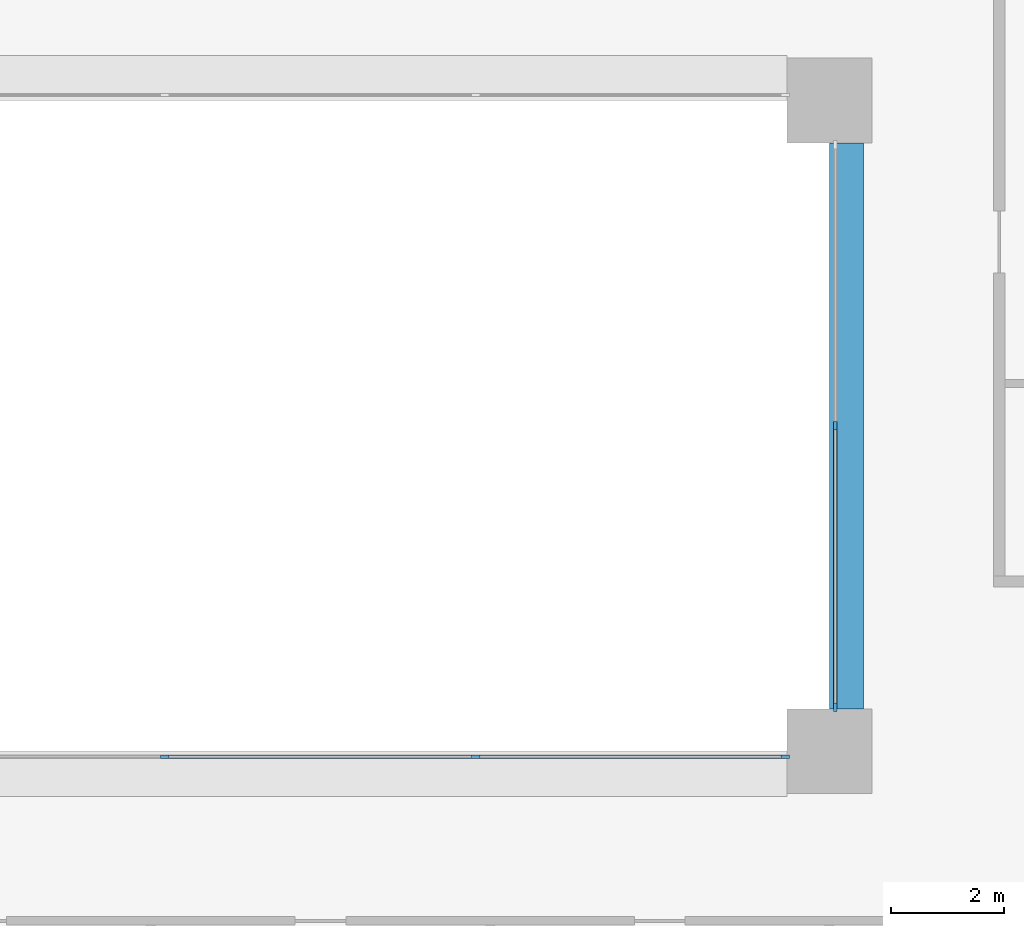
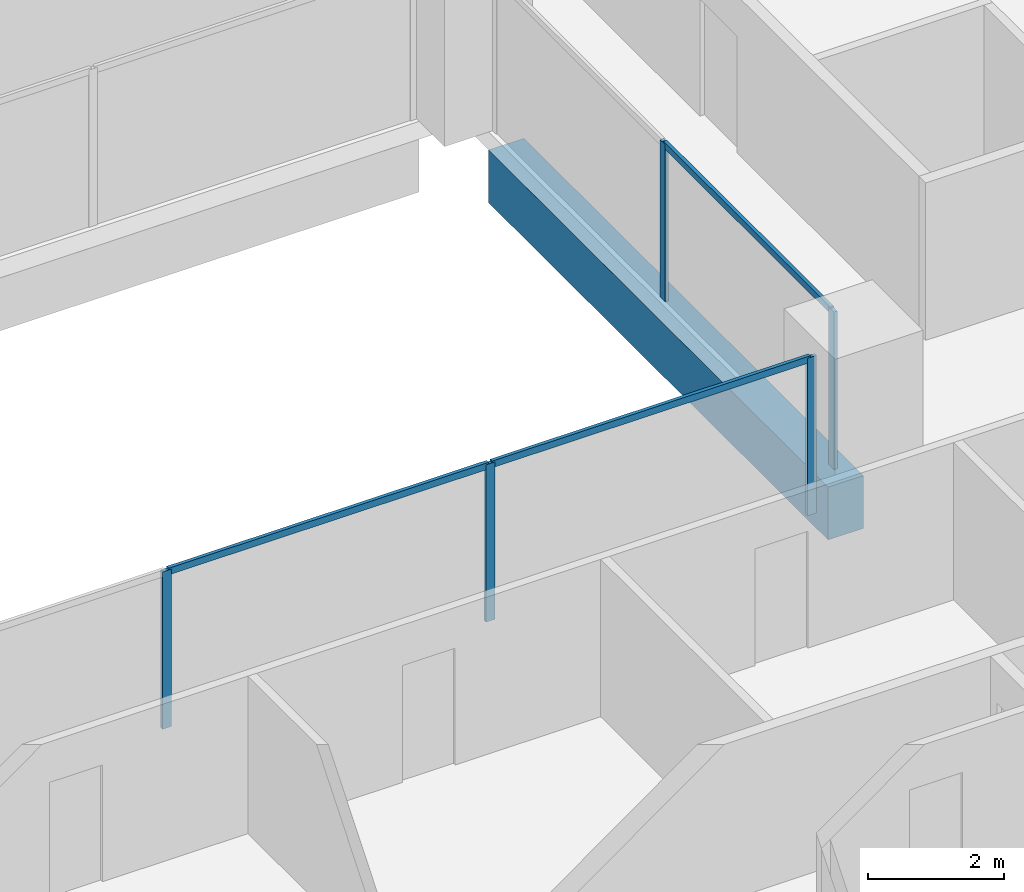
# One storey, part 4 of 19: 8 members, 1 beam, 2 elements without a shape of their own.
"""IFC4 building model written with IfcOpenShell, lengths in metres."""

from ifc_helpers import new_model, si_unit, direction, frame, origin, origin_2d, place, context, subcontext, project, spatial, rectangle, extrude, material, layer, layer_set, material_profile, profile_set, type_object, element, aggregate, save


model = new_model("IFC4")

# Units and contexts
model_context = context("Model", 3, precision=1e-05, world=origin(), true_north=direction((0.0, 1.0)))
body_context = subcontext(model_context, "Body", "Model", "MODEL_VIEW")
ifc_project = project(units=[si_unit("LENGTHUNIT", "METRE"), si_unit("AREAUNIT", "SQUARE_METRE"), si_unit("VOLUMEUNIT", "CUBIC_METRE"), si_unit("PLANEANGLEUNIT", "RADIAN"), si_unit("MASSUNIT", "GRAM", prefix="KILO")], contexts=[model_context])

# Site, building, storey
site_placement = place(None, origin())
site = spatial("IfcSite", under=ifc_project, at=site_placement, CompositionType="ELEMENT")
building_placement = place(site_placement, origin())
building = spatial("IfcBuilding", under=site, at=building_placement, Name="Brigalow Station Residences", CompositionType="ELEMENT")
storey_placement = place(building_placement, frame((0.0, 0.0, 25.800048828125)))
storey = spatial("IfcBuildingStorey", under=building, at=storey_placement, Name="L06", CompositionType="ELEMENT", Elevation=25.800048828125)

# Beam
ifc_material_1 = material(Name="Concrete C65", Category="concrete")
ifc_material_profile_1 = material_profile(ifc_material_1, rectangle(XDim=0.60009765625, YDim=0.949951171875, at=origin_2d()), Name="RC600x950")
ifc_profile_set_1 = profile_set([ifc_material_profile_1], Name="Concrete C65")
beam_type = type_object("IfcBeamType", Name="ATRIUM EDGE GIRDER 600x950 C65", PredefinedType="BEAM", material=ifc_profile_set_1)
beam_placement = place(storey_placement, frame((45.300048828125, 24.75, -0.795166015625), z_axis=(0.0, 1.0, 0.0), x_axis=(-1.0, 0.0, 0.0)))
element("IfcBeam", 1, at=beam_placement, inside=storey, type_object=beam_type, Name="ATRIUM EDGE GIRDER 5 L06", PredefinedType="BEAM", context=body_context, shape_type="SweptSolid", body=[
    extrude(rectangle(XDim=0.60009765625, YDim=0.949951171875, at=origin_2d()), origin(), (0.0, 0.0, 1.0), 10.0),
])

# Curtain wall, members
ifc_material_2 = material(Name="Aluminium", Category="aluminium")
ifc_layer = layer(ifc_material_2, 0.14990234375)
ifc_layer_set = layer_set([ifc_layer], Name="ATRIUM FIRE-RATED GLAZING CURTAIN WALL")
curtain_wall_type = type_object("IfcCurtainWallType", Name="ATRIUM FIRE-RATED GLAZING CURTAIN WALL", PredefinedType="NOTDEFINED", material=ifc_layer_set)
curtain_wall_1_placement = place(storey_placement, origin())
curtain_wall_1 = element("IfcCurtainWall", 2, at=curtain_wall_1_placement, inside=storey, type_object=curtain_wall_type, Name="L06/cw/atrium-S", PredefinedType="NOTDEFINED")
ifc_material_3 = material(Name="Aluminium", Category="aluminium")
ifc_material_profile_2 = material_profile(ifc_material_3, rectangle(XDim=0.06005859375, YDim=0.14990234375, at=origin_2d()), Name="ATRIUM FIRE-RATED GLAZING MULLION 60x150")
ifc_profile_set_2 = profile_set([ifc_material_profile_2], Name="Aluminium")
member_type_1 = type_object("IfcMemberType", Name="ATRIUM FIRE-RATED GLAZING MULLION 60x150", PredefinedType="MULLION", material=ifc_profile_set_2)
member_1_placement = place(storey_placement, frame((33.25, 23.89990234375, 0.0), z_axis=(0.0, 0.0, 1.0), x_axis=(0.0, 1.0, 0.0)))
member_1 = element("IfcMember", 3, at=member_1_placement, type_object=member_type_1, Name="L06/cw/atrium-S/M01", PredefinedType="MULLION", context=body_context, shape_type="SweptSolid", body=[
    extrude(rectangle(XDim=0.06005859375, YDim=0.14990234375, at=origin_2d()), origin(), (0.0, 0.0, 1.0), 2.829833984375),
])
member_2_placement = place(storey_placement, frame((38.75, 23.89990234375, 0.0), z_axis=(0.0, 0.0, 1.0), x_axis=(0.0, 1.0, 0.0)))
member_2 = element("IfcMember", 4, at=member_2_placement, type_object=member_type_1, Name="L06/cw/atrium-S/M02", PredefinedType="MULLION", context=body_context, shape_type="SweptSolid", body=[
    extrude(rectangle(XDim=0.06005859375, YDim=0.14990234375, at=origin_2d()), origin(), (0.0, 0.0, 1.0), 2.829833984375),
])
member_3_placement = place(storey_placement, frame((44.219970703125, 23.89990234375, 0.0), z_axis=(0.0, 0.0, 1.0), x_axis=(0.0, 1.0, 0.0)))
member_3 = element("IfcMember", 5, at=member_3_placement, type_object=member_type_1, Name="L06/cw/atrium-S/M03", PredefinedType="MULLION", context=body_context, shape_type="SweptSolid", body=[
    extrude(rectangle(XDim=0.06005859375, YDim=0.14990234375, at=origin_2d()), origin(), (0.0, 0.0, 1.0), 2.829833984375),
])

curtain_wall_2_placement = place(storey_placement, origin())
curtain_wall_2 = element("IfcCurtainWall", 6, at=curtain_wall_2_placement, inside=storey, type_object=curtain_wall_type, Name="L06/cw/atrium-E", PredefinedType="NOTDEFINED")
member_4_placement = place(storey_placement, frame((45.10009765625, 24.780029296875, 0.0), z_axis=(0.0, 0.0, 1.0), x_axis=(-1.0, 0.0, 0.0)))
member_4 = element("IfcMember", 7, at=member_4_placement, type_object=member_type_1, Name="L06/cw/atrium-E/M00", PredefinedType="MULLION", context=body_context, shape_type="SweptSolid", body=[
    extrude(rectangle(XDim=0.06005859375, YDim=0.14990234375, at=origin_2d()), origin(), (0.0, 0.0, 1.0), 2.829833984375),
])
member_5_placement = place(storey_placement, frame((45.10009765625, 29.75, 0.0), z_axis=(0.0, 0.0, 1.0), x_axis=(-1.0, 0.0, 0.0)))
member_5 = element("IfcMember", 8, at=member_5_placement, type_object=member_type_1, Name="L06/cw/atrium-E/M01", PredefinedType="MULLION", context=body_context, shape_type="SweptSolid", body=[
    extrude(rectangle(XDim=0.06005859375, YDim=0.14990234375, at=origin_2d()), origin(), (0.0, 0.0, 1.0), 2.829833984375),
])

# Member
ifc_material_4 = material(Name="Aluminium", Category="aluminium")
ifc_material_profile_3 = material_profile(ifc_material_4, rectangle(XDim=0.06005859375, YDim=0.1201171875, at=origin_2d()), Name="ATRIUM FIRE-RATED GLAZING TRANSOM 60x120")
ifc_profile_set_3 = profile_set([ifc_material_profile_3], Name="Aluminium")
member_type_2 = type_object("IfcMemberType", Name="ATRIUM FIRE-RATED GLAZING TRANSOM 60x120", PredefinedType="USERDEFINED", material=ifc_profile_set_3)
member_6_placement = place(storey_placement, frame((33.280029296875, 23.89990234375, 2.800048828125), z_axis=(1.0, 0.0, 0.0), x_axis=(0.0, 1.0, 0.0)))
member_6 = element("IfcMember", 9, at=member_6_placement, type_object=member_type_2, Name="L06/cw/atrium-S/T01-00", ObjectType="TRANSOM", PredefinedType="USERDEFINED", context=body_context, shape_type="SweptSolid", body=[
    extrude(rectangle(XDim=0.06005859375, YDim=0.1201171875, at=origin_2d()), origin(), (0.0, 0.0, 1.0), 5.43994140625),
])

member_7_placement = place(storey_placement, frame((38.780029296875, 23.89990234375, 2.800048828125), z_axis=(1.0, 0.0, 0.0), x_axis=(0.0, 1.0, 0.0)))
member_7 = element("IfcMember", 10, at=member_7_placement, type_object=member_type_2, Name="L06/cw/atrium-S/T02-00", ObjectType="TRANSOM", PredefinedType="USERDEFINED", context=body_context, shape_type="SweptSolid", body=[
    extrude(rectangle(XDim=0.06005859375, YDim=0.1201171875, at=origin_2d()), origin(), (0.0, 0.0, 1.0), 5.409912109375),
])

aggregate(curtain_wall_1, [member_1, member_2, member_3, member_6, member_7])

member_8_placement = place(storey_placement, frame((45.10009765625, 24.81005859375, 2.800048828125), z_axis=(0.0, 1.0, 0.0), x_axis=(-1.0, 0.0, 0.0)))
member_8 = element("IfcMember", 11, at=member_8_placement, type_object=member_type_2, Name="L06/cw/atrium-E/T00-00", ObjectType="TRANSOM", PredefinedType="USERDEFINED", context=body_context, shape_type="SweptSolid", body=[
    extrude(rectangle(XDim=0.06005859375, YDim=0.1201171875, at=origin_2d()), origin(), (0.0, 0.0, 1.0), 4.909912109375),
])

aggregate(curtain_wall_2, [member_4, member_5, member_8])

save(model, "model.ifc")
